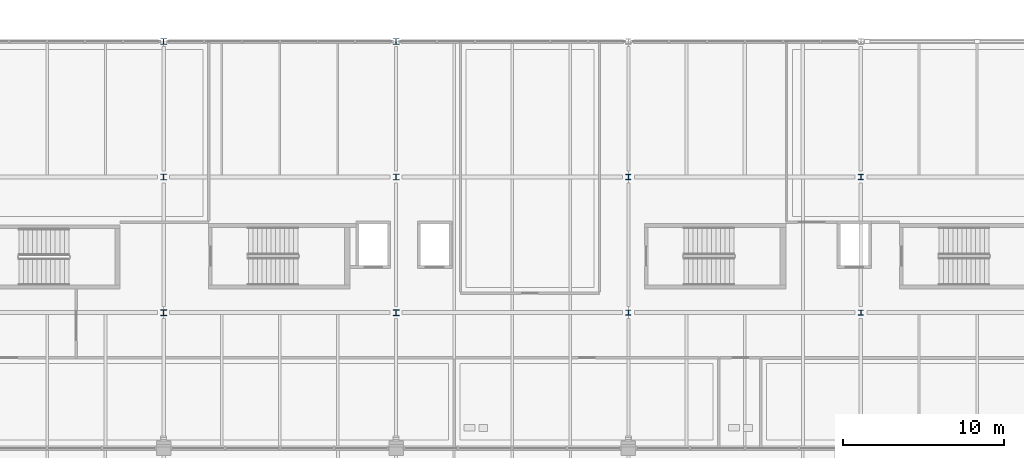
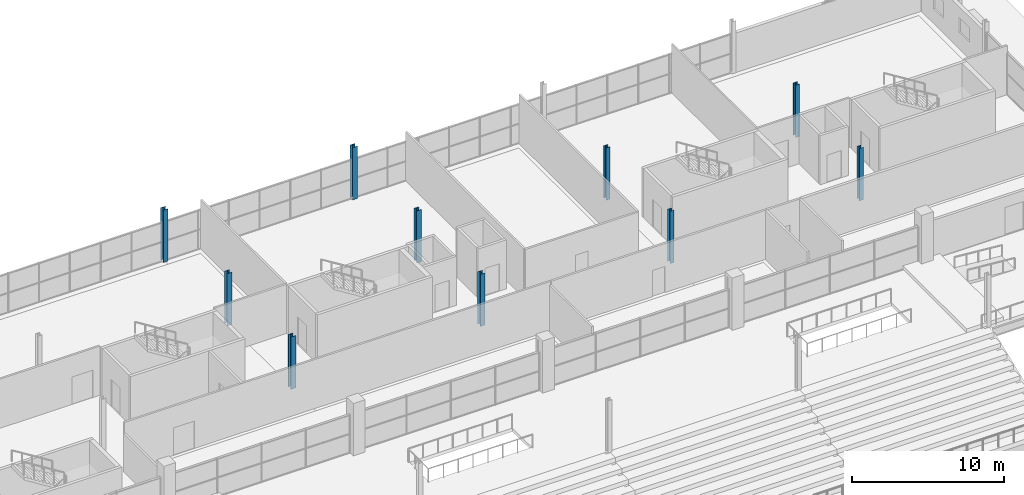
# One storey, part 10 of 161: 10 columns.
"""IFC4 building model written with IfcOpenShell, lengths in metres."""

from ifc_helpers import new_model, si_unit, direction, frame, origin, origin_2d, place, context, subcontext, project, spatial, i_section, extrude, material, material_profile, profile_set, type_object, element, save


model = new_model("IFC4")

# Units and contexts
model_context = context("Model", 3, precision=1e-05, world=origin(), true_north=direction((0.0, 1.0)))
body_context = subcontext(model_context, "Body", "Model", "MODEL_VIEW")
ifc_project = project(units=[si_unit("LENGTHUNIT", "METRE"), si_unit("AREAUNIT", "SQUARE_METRE"), si_unit("VOLUMEUNIT", "CUBIC_METRE"), si_unit("PLANEANGLEUNIT", "RADIAN"), si_unit("MASSUNIT", "GRAM", prefix="KILO"), si_unit("THERMODYNAMICTEMPERATUREUNIT", "KELVIN")], contexts=[model_context])

# Site, building, storey
site_placement = place(None, origin())
site = spatial("IfcSite", under=ifc_project, at=site_placement, CompositionType="ELEMENT")
building_placement = place(site_placement, origin())
building = spatial("IfcBuilding", under=site, at=building_placement, Name="Nduvali Passage Aquatics Centre", CompositionType="ELEMENT")
storey_placement = place(building_placement, frame((0.0, 0.0, 4.800048828125)))
storey = spatial("IfcBuildingStorey", under=building, at=storey_placement, Name="L01", CompositionType="ELEMENT", Elevation=4.800048828125)

# Columns
ifc_material = material(Name="Steel S355", Category="steel")
ifc_material_profile_1 = material_profile(ifc_material, i_section(OverallWidth=0.30908203125, OverallDepth=0.320556640625, WebThickness=0.013916015625, FlangeThickness=0.021728515625, FilletRadius=0.01513671875, at=origin_2d()), Name="UKC 305x305x137")
ifc_profile_set_1 = profile_set([ifc_material_profile_1], Name="Steel S355")
column_type_1 = type_object("IfcColumnType", Name="STR-COL-UKC305", PredefinedType="COLUMN", material=ifc_profile_set_1)
for number, where, z_axis, x_axis, name in (
    (1, (97.199951171875, 100.800048828125, 0.0), (0.0, 0.0, 1.0), (1.0, 0.0, 0.0), "L01 Column C6 (97.2, 100.8)"),
    (2, (97.199951171875, 109.199951171875, 0.0), (0.0, 0.0, 1.0), (1.0, 0.0, 0.0), "L01 Column C6 (97.2, 109.2)"),
    (3, (111.60009765625, 100.800048828125, 0.0), (0.0, 0.0, 1.0), (1.0, 0.0, 0.0), "L01 Column C6 (111.6, 100.8)"),
    (4, (111.60009765625, 109.199951171875, 0.0), (0.0, 0.0, 1.0), (1.0, 0.0, 0.0), "L01 Column C6 (111.6, 109.2)"),
):
    element("IfcColumn", number, at=place(storey_placement, frame(where, z_axis=z_axis, x_axis=x_axis)), inside=storey, type_object=column_type_1, Name=name, PredefinedType="COLUMN", context=body_context, shape_type="SweptSolid", body=[
        extrude(i_section(OverallWidth=0.30908203125, OverallDepth=0.320556640625, WebThickness=0.013916015625, FlangeThickness=0.021728515625, FilletRadius=0.01513671875, at=origin_2d()), origin(), (0.0, 0.0, 1.0), 4.199951171875),
    ])
ifc_material_profile_2 = material_profile(ifc_material, i_section(OverallWidth=0.37060546875, OverallDepth=0.362060546875, WebThickness=0.01220703125, FlangeThickness=0.020751953125, FilletRadius=0.01513671875, at=origin_2d()), Name="UKC 356x368x153")
ifc_profile_set_2 = profile_set([ifc_material_profile_2], Name="Steel S355")
column_type_2 = type_object("IfcColumnType", Name="STR-COL-UKC356", PredefinedType="COLUMN", material=ifc_profile_set_2)
for number, where, z_axis, x_axis, name in (
    (5, (68.39990234375, 100.800048828125, 0.0), (0.0, 0.0, 1.0), (1.0, 0.0, 0.0), "L01 Column C6A (68.4, 100.8)"),
    (6, (68.39990234375, 109.199951171875, 0.0), (0.0, 0.0, 1.0), (1.0, 0.0, 0.0), "L01 Column C6A (68.4, 109.2)"),
    (7, (82.800048828125, 100.800048828125, 0.0), (0.0, 0.0, 1.0), (1.0, 0.0, 0.0), "L01 Column C6A (82.8, 100.8)"),
    (8, (82.800048828125, 109.199951171875, 0.0), (0.0, 0.0, 1.0), (1.0, 0.0, 0.0), "L01 Column C6A (82.8, 109.2)"),
):
    element("IfcColumn", number, at=place(storey_placement, frame(where, z_axis=z_axis, x_axis=x_axis)), inside=storey, type_object=column_type_2, Name=name, PredefinedType="COLUMN", context=body_context, shape_type="SweptSolid", body=[
        extrude(i_section(OverallWidth=0.37060546875, OverallDepth=0.362060546875, WebThickness=0.01220703125, FlangeThickness=0.020751953125, FilletRadius=0.01513671875, at=origin_2d()), origin(), (0.0, 0.0, 1.0), 4.199951171875),
    ])
ifc_material_profile_3 = material_profile(ifc_material, i_section(OverallWidth=0.37060546875, OverallDepth=0.362060546875, WebThickness=0.01220703125, FlangeThickness=0.020751953125, FilletRadius=0.01513671875, at=origin_2d()), Name="UKC 356x368x153")
ifc_profile_set_3 = profile_set([ifc_material_profile_3], Name="Steel S355")
column_type_3 = type_object("IfcColumnType", Name="STR-COL-UKC356-EXT", PredefinedType="COLUMN", material=ifc_profile_set_3)
for number, where, z_axis, x_axis, name in (
    (9, (68.39990234375, 117.60009765625, 0.0), (0.0, 0.0, 1.0), (1.0, 0.0, 0.0), "L01 Column C6AE (68.4, 117.6)"),
    (10, (82.800048828125, 117.60009765625, 0.0), (0.0, 0.0, 1.0), (1.0, 0.0, 0.0), "L01 Column C6AE (82.8, 117.6)"),
):
    element("IfcColumn", number, at=place(storey_placement, frame(where, z_axis=z_axis, x_axis=x_axis)), inside=storey, type_object=column_type_3, Name=name, PredefinedType="COLUMN", context=body_context, shape_type="SweptSolid", body=[
        extrude(i_section(OverallWidth=0.37060546875, OverallDepth=0.362060546875, WebThickness=0.01220703125, FlangeThickness=0.020751953125, FilletRadius=0.01513671875, at=origin_2d()), origin(), (0.0, 0.0, 1.0), 4.199951171875),
    ])

save(model, "model.ifc")
